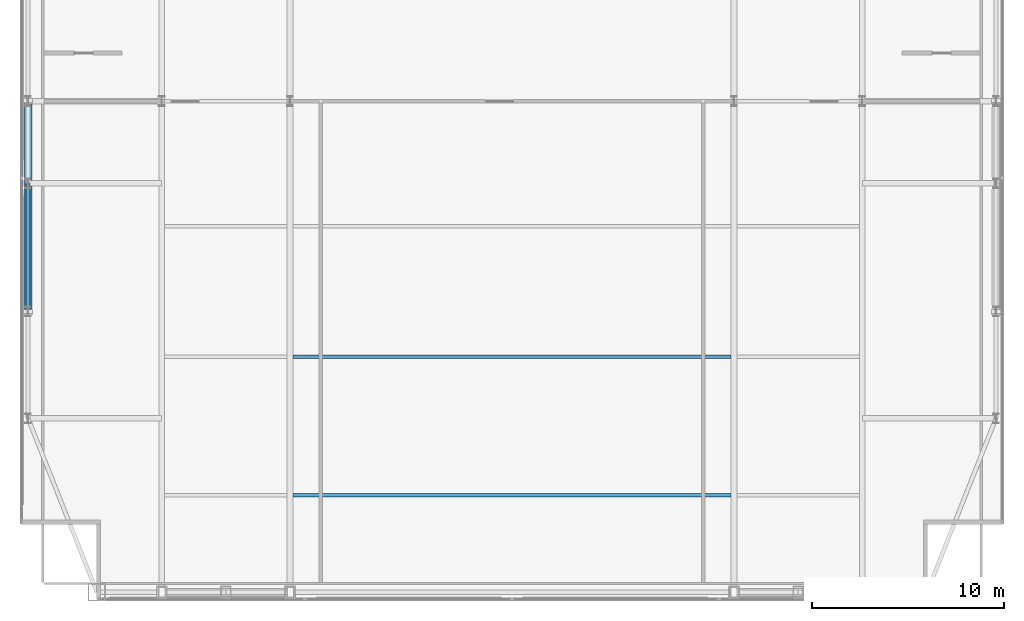
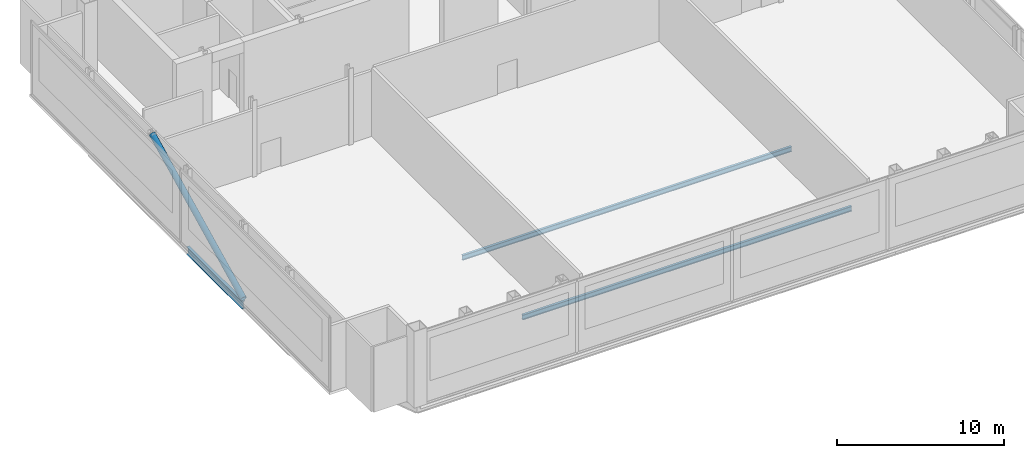
# One storey, part 7 of 22: 3 beams, 1 member.
"""IFC4 building model written with IfcOpenShell, lengths in metres."""

from ifc_helpers import new_model, si_unit, direction, frame, origin, origin_2d, place, context, subcontext, project, spatial, hollow_circle, i_section, extrude, material, material_profile, profile_set, type_object, element, save


model = new_model("IFC4")

# Units and contexts
model_context = context("Model", 3, precision=1e-05, world=origin(), true_north=direction((0.0, 1.0)))
body_context = subcontext(model_context, "Body", "Model", "MODEL_VIEW")
ifc_project = project(units=[si_unit("LENGTHUNIT", "METRE"), si_unit("AREAUNIT", "SQUARE_METRE"), si_unit("VOLUMEUNIT", "CUBIC_METRE"), si_unit("PLANEANGLEUNIT", "RADIAN"), si_unit("MASSUNIT", "GRAM", prefix="KILO")], contexts=[model_context])

# Site, building, storey
site_placement = place(None, origin())
site = spatial("IfcSite", under=ifc_project, at=site_placement, CompositionType="ELEMENT")
building_placement = place(site_placement, origin())
building = spatial("IfcBuilding", under=site, at=building_placement, Name="Khoronbel Lancet Exchange", CompositionType="ELEMENT")
storey_placement = place(building_placement, frame((0.0, 0.0, 373.0)))
storey = spatial("IfcBuildingStorey", under=building, at=storey_placement, Name="L95", CompositionType="ELEMENT", Elevation=373.0)

# Beams
ifc_material = material(Name="Steel S355", Category="steel")
ifc_material_profile_1 = material_profile(ifc_material, i_section(OverallWidth=0.169921875, OverallDepth=0.360107421875, WebThickness=0.008056640625, FlangeThickness=0.0126953125, at=origin_2d()), Name="IPE 360")
ifc_profile_set_1 = profile_set([ifc_material_profile_1], Name="Steel S355")
beam_type_1 = type_object("IfcBeamType", Name="BM-BJ6", PredefinedType="JOIST", material=ifc_profile_set_1)
for number, where, z_axis, x_axis, name in (
    (1, (25.050048828125, 15.199951171875, -0.3798828125), (1.0, 0.0, 0.0), (0.0, 1.0, 0.0), "Level L95 secondary composite joist J02"),
    (2, (25.050048828125, 22.39990234375, -0.3798828125), (1.0, 0.0, 0.0), (0.0, 1.0, 0.0), "Level L95 secondary composite joist J05"),
):
    element("IfcBeam", number, at=place(storey_placement, frame(where, z_axis=z_axis, x_axis=x_axis)), inside=storey, type_object=beam_type_1, Name=name, PredefinedType="JOIST", context=body_context, shape_type="SweptSolid", body=[
        extrude(i_section(OverallWidth=0.169921875, OverallDepth=0.360107421875, WebThickness=0.008056640625, FlangeThickness=0.0126953125, at=origin_2d()), origin(), (0.0, 0.0, 1.0), 22.800048828125),
    ])
ifc_material_profile_2 = material_profile(ifc_material, i_section(OverallWidth=0.2099609375, OverallDepth=0.550048828125, WebThickness=0.010986328125, FlangeThickness=0.01708984375, at=origin_2d()), Name="IPE 550")
ifc_profile_set_2 = profile_set([ifc_material_profile_2], Name="Steel S355")
beam_type_2 = type_object("IfcBeamType", Name="BM-BSP3", PredefinedType="SPANDREL", material=ifc_profile_set_2)
beam_placement = place(storey_placement, frame((11.27001953125, 31.425048828125, -0.47509765625), z_axis=(0.0, -1.0, 0.0), x_axis=(1.0, 0.0, 0.0)))
element("IfcBeam", 3, at=beam_placement, inside=storey, type_object=beam_type_2, Name="Level L95 perimeter spandrel beam SP17", PredefinedType="SPANDREL", context=body_context, shape_type="SweptSolid", body=[
    extrude(i_section(OverallWidth=0.2099609375, OverallDepth=0.550048828125, WebThickness=0.010986328125, FlangeThickness=0.01708984375, at=origin_2d()), origin(), (0.0, 0.0, 1.0), 6.675048828125),
])

# Member
ifc_material_profile_3 = material_profile(ifc_material, hollow_circle(Radius=0.203125, WallThickness=0.02001953125, at=origin_2d()), Name="CHS 406.4x20")
ifc_profile_set_3 = profile_set([ifc_material_profile_3], Name="Steel S355")
member_type = type_object("IfcMemberType", Name="MEM-STR2", PredefinedType="STRUT", material=ifc_profile_set_3)
member_placement = place(storey_placement, frame((11.27001953125, 24.75, 0.0), z_axis=(0.0, 0.8962223226, 0.443605171829), x_axis=(-1.0, 0.0, 0.0)))
element("IfcMember", 4, at=member_placement, inside=storey, type_object=member_type, Name="CROWN FRAME diagonal ring brace L95-W1", PredefinedType="STRUT", context=body_context, shape_type="SweptSolid", body=[
    extrude(hollow_circle(Radius=0.203125, WallThickness=0.02001953125, at=origin_2d()), origin(), (0.0, 0.0, 1.0), 12.218017578125),
])

save(model, "model.ifc")
